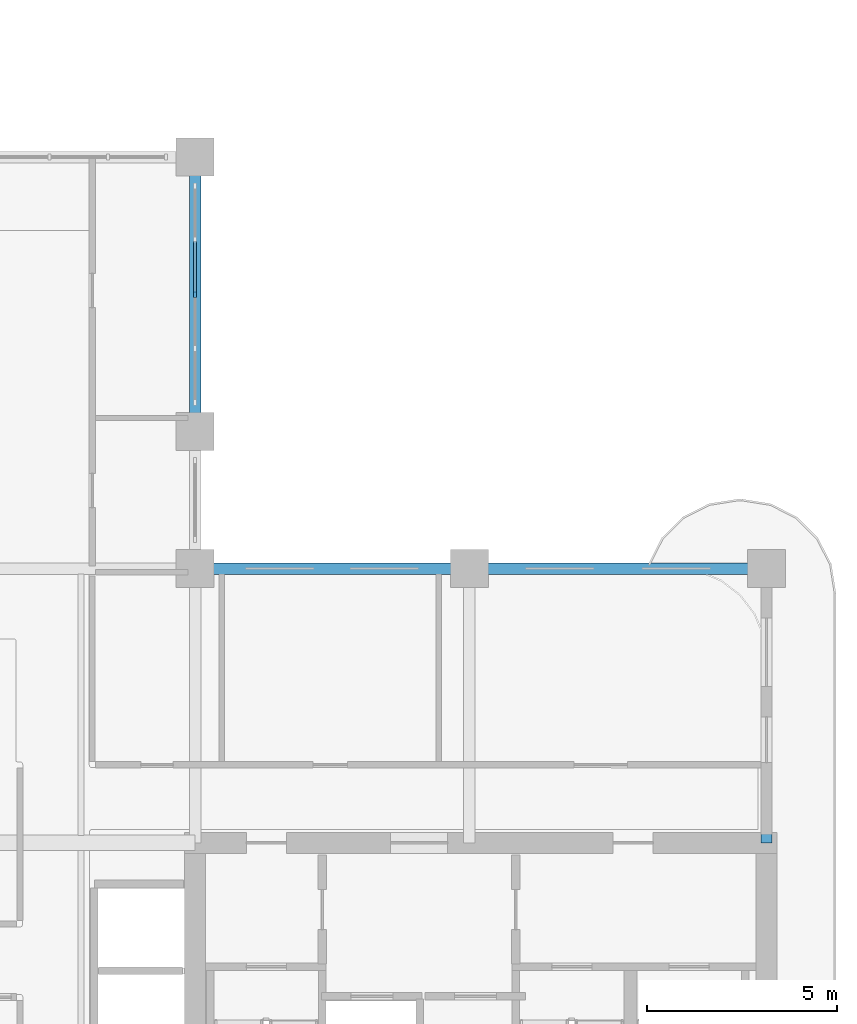
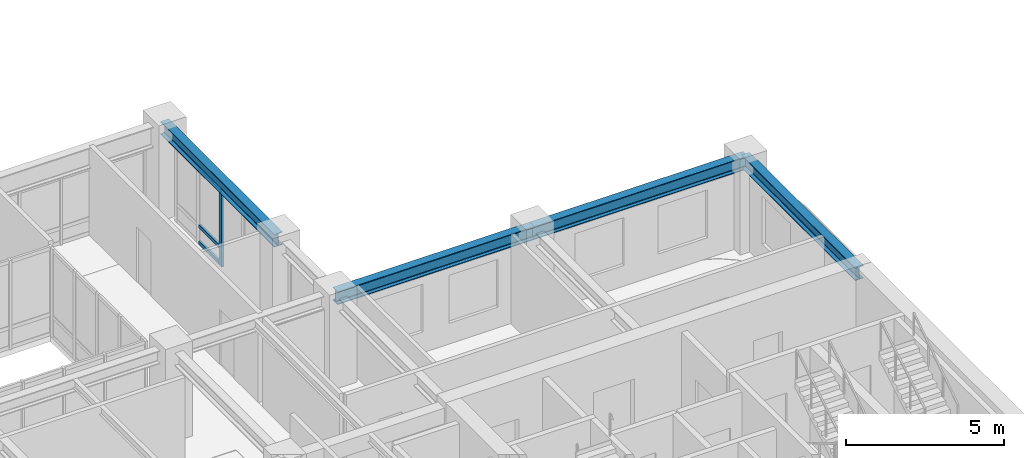
# One storey, part 4 of 20: 4 beams, 4 members, 1 element without a shape of its own.
"""IFC4 building model written with IfcOpenShell, lengths in metres."""

from ifc_helpers import new_model, si_unit, derived_unit, direction, frame, origin, origin_2d, place, context, subcontext, project, spatial, rectangle, i_section, extrude, source, transform, mapped, material, layer, layer_set, material_profile, profile_set, type_object, type_shapes, element, aggregate, save


model = new_model("IFC4")

# Units and contexts
model_context = context("Model", 3, precision=1e-05, world=origin(), true_north=direction((0.0, 1.0)))
body_context = subcontext(model_context, "Body", "Model", "MODEL_VIEW")
ifc_project = project(units=[si_unit("LENGTHUNIT", "METRE"), si_unit("AREAUNIT", "SQUARE_METRE"), si_unit("VOLUMEUNIT", "CUBIC_METRE"), si_unit("PLANEANGLEUNIT", "RADIAN"), si_unit("MASSUNIT", "GRAM", prefix="KILO"), si_unit("THERMODYNAMICTEMPERATUREUNIT", "KELVIN"), si_unit("POWERUNIT", "WATT"), derived_unit("THERMALTRANSMITTANCEUNIT", [(si_unit("POWERUNIT", "WATT"), 1), (si_unit("AREAUNIT", "SQUARE_METRE"), -1), (si_unit("THERMODYNAMICTEMPERATUREUNIT", "KELVIN"), -1)])], contexts=[model_context])

# Site, building, storey
site_placement = place(None, origin())
site = spatial("IfcSite", under=ifc_project, at=site_placement, CompositionType="ELEMENT")
building_placement = place(site_placement, origin())
building = spatial("IfcBuilding", under=site, at=building_placement, Name="Zahravan Archway Hotel and Residences", CompositionType="ELEMENT")
storey_placement = place(building_placement, frame((0.0, 0.0, 126.60009765625)))
storey = spatial("IfcBuildingStorey", under=building, at=storey_placement, Name="L31", CompositionType="ELEMENT", Elevation=126.60009765625)

# Beams
ifc_material_1 = material(Name="Structural Steel S355JR", Category="steel")
ifc_material_profile_1 = material_profile(ifc_material_1, i_section(OverallWidth=0.300048828125, OverallDepth=0.5, WebThickness=0.014404296875, FlangeThickness=0.028076171875, FilletRadius=0.027099609375, at=origin_2d()), Name="HEB 500", Category="steel")
ifc_profile_set_1 = profile_set([ifc_material_profile_1], Name="Structural Steel S355JR")
beam_type = type_object("IfcBeamType", Name="BM-PRI-HEB500", PredefinedType="BEAM", material=ifc_profile_set_1)
shared_shape_1 = source(origin(), body_context, "Body", "SweptSolid", [
    extrude(i_section(OverallWidth=0.300048828125, OverallDepth=0.5, WebThickness=0.014404296875, FlangeThickness=0.028076171875, FilletRadius=0.027099609375, at=origin_2d()), origin(), (0.0, 0.0, 1.0), 7.2001953125),
])
type_shapes(beam_type, [shared_shape_1])
beam_1_placement = place(storey_placement, frame((49.800048828125, 14.39990234375, 3.199951171875), z_axis=(0.0, 1.0, 0.0), x_axis=(-1.0, 0.0, 0.0)))
element("IfcBeam", 1, at=beam_1_placement, inside=storey, type_object=beam_type, Name="L31 Primary Girder NS-45", PredefinedType="BEAM", context=body_context, shape_type="MappedRepresentation", body=[
    mapped(shared_shape_1, transform((0.0, 0.0, 0.0), scale=1.0)),
])
shared_shape_2 = source(origin(), body_context, "Body", "SweptSolid", [
    extrude(i_section(OverallWidth=0.300048828125, OverallDepth=0.5, WebThickness=0.014404296875, FlangeThickness=0.028076171875, FilletRadius=0.027099609375, at=origin_2d()), origin(), (0.0, 0.0, 1.0), 7.199951171875),
])
for number, where, z_axis, x_axis, name in (
    (2, (34.800048828125, 21.60009765625, 3.199951171875), (1.0, 0.0, 0.0), (0.0, 1.0, 0.0), "L31 Primary Girder EW-14"),
    (3, (34.800048828125, 25.199951171875, 3.199951171875), (0.0, 1.0, 0.0), (-1.0, 0.0, 0.0), "L31 Primary Girder NS-43"),
):
    element("IfcBeam", number, at=place(storey_placement, frame(where, z_axis=z_axis, x_axis=x_axis)), inside=storey, type_object=beam_type, Name=name, PredefinedType="BEAM", context=body_context, shape_type="MappedRepresentation", body=[
        mapped(shared_shape_2, transform((0.0, 0.0, 0.0), scale=1.0)),
    ])
shared_shape_3 = source(origin(), body_context, "Body", "SweptSolid", [
    extrude(i_section(OverallWidth=0.300048828125, OverallDepth=0.5, WebThickness=0.014404296875, FlangeThickness=0.028076171875, FilletRadius=0.027099609375, at=origin_2d()), origin(), (0.0, 0.0, 1.0), 7.800048828125),
])
beam_2_placement = place(storey_placement, frame((42.0, 21.60009765625, 3.199951171875), z_axis=(1.0, 0.0, 0.0), x_axis=(0.0, 1.0, 0.0)))
element("IfcBeam", 4, at=beam_2_placement, inside=storey, type_object=beam_type, Name="L31 Primary Girder EW-15", PredefinedType="BEAM", context=body_context, shape_type="MappedRepresentation", body=[
    mapped(shared_shape_3, transform((0.0, 0.0, 0.0), scale=1.0)),
])

# Curtain wall, members
ifc_material_2 = material(Name="Bronze-Anodized Unitised Aluminium & Low-E Glass", Category="aluminium")
ifc_layer = layer(ifc_material_2, 0.179931640625, Name="Bronze-Anodized Unitised Aluminium & Low-E Glass", Category="aluminium")
ifc_layer_set = layer_set([ifc_layer], Name="Bronze-Anodized Unitised Aluminium & Low-E Glass")
curtain_wall_type = type_object("IfcCurtainWallType", Name="CW-ATR-GLAZ", PredefinedType="NOTDEFINED", material=ifc_layer_set)
curtain_wall_placement = place(storey_placement, origin())
curtain_wall = element("IfcCurtainWall", 5, at=curtain_wall_placement, inside=storey, type_object=curtain_wall_type, Name="L31 Curtain Wall CW-L31-HNG-E-2", PredefinedType="NOTDEFINED")
ifc_material_3 = material(Name="Bronze-Anodized Extruded Aluminium", Category="aluminium")
ifc_material_profile_2 = material_profile(ifc_material_3, rectangle(XDim=0.080078125, YDim=0.139892578125, at=origin_2d()), Name="TRN 80x140", Category="aluminium")
ifc_profile_set_2 = profile_set([ifc_material_profile_2], Name="Bronze-Anodized Extruded Aluminium")
member_type_1 = type_object("IfcMemberType", Name="CWM-TRN-140", PredefinedType="USERDEFINED", material=ifc_profile_set_2)
shared_shape_4 = source(origin(), body_context, "Body", "SweptSolid", [
    extrude(rectangle(XDim=0.080078125, YDim=0.139892578125, at=origin_2d()), origin(), (0.0, 0.0, 1.0), 1.33984375),
])
member_1_placement = place(storey_placement, frame((34.800048828125, 28.840087890625, 0.06982421875), z_axis=(0.0, 1.0, 0.0), x_axis=(-1.0, 0.0, 0.0)))
member_1 = element("IfcMember", 6, at=member_1_placement, type_object=member_type_1, Name="CW-L31-HNG-E-2 Transom 2-1", ObjectType="TRANSOM", PredefinedType="USERDEFINED", context=body_context, shape_type="MappedRepresentation", body=[
    mapped(shared_shape_4, transform((0.0, 0.0, 0.0), scale=1.0)),
])
member_2_placement = place(storey_placement, frame((34.800048828125, 28.840087890625, 0.704345703125), z_axis=(0.0, 1.0, 0.0), x_axis=(-1.0, 0.0, 0.0)))
member_2 = element("IfcMember", 7, at=member_2_placement, type_object=member_type_1, Name="CW-L31-HNG-E-2 Transom 2-2", ObjectType="TRANSOM", PredefinedType="USERDEFINED", context=body_context, shape_type="MappedRepresentation", body=[
    mapped(shared_shape_4, transform((0.0, 0.0, 0.0), scale=1.0)),
])
member_3_placement = place(storey_placement, frame((34.800048828125, 28.840087890625, 2.864990234375), z_axis=(0.0, 1.0, 0.0), x_axis=(-1.0, 0.0, 0.0)))
member_3 = element("IfcMember", 8, at=member_3_placement, type_object=member_type_1, Name="CW-L31-HNG-E-2 Transom 2-3", ObjectType="TRANSOM", PredefinedType="USERDEFINED", context=body_context, shape_type="MappedRepresentation", body=[
    mapped(shared_shape_4, transform((0.0, 0.0, 0.0), scale=1.0)),
])
ifc_material_profile_3 = material_profile(ifc_material_3, rectangle(XDim=0.080078125, YDim=0.159912109375, at=origin_2d()), Name="MUL 80x160", Category="aluminium")
ifc_profile_set_3 = profile_set([ifc_material_profile_3], Name="Bronze-Anodized Extruded Aluminium")
member_type_2 = type_object("IfcMemberType", Name="CWM-MUL-160", PredefinedType="MULLION", material=ifc_profile_set_3)
shared_shape_5 = source(origin(), body_context, "Body", "SweptSolid", [
    extrude(rectangle(XDim=0.080078125, YDim=0.159912109375, at=origin_2d()), origin(), (0.0, 0.0, 1.0), 2.934814453125),
])
member_4_placement = place(storey_placement, frame((34.800048828125, 28.800048828125, 0.0), z_axis=(0.0, 0.0, 1.0), x_axis=(1.0, 0.0, 0.0)))
member_4 = element("IfcMember", 9, at=member_4_placement, type_object=member_type_2, Name="CW-L31-HNG-E-2 Mullion 2", PredefinedType="MULLION", context=body_context, shape_type="MappedRepresentation", body=[
    mapped(shared_shape_5, transform((0.0, 0.0, 0.0), scale=1.0)),
])
aggregate(curtain_wall, [member_4, member_1, member_2, member_3])

save(model, "model.ifc")
